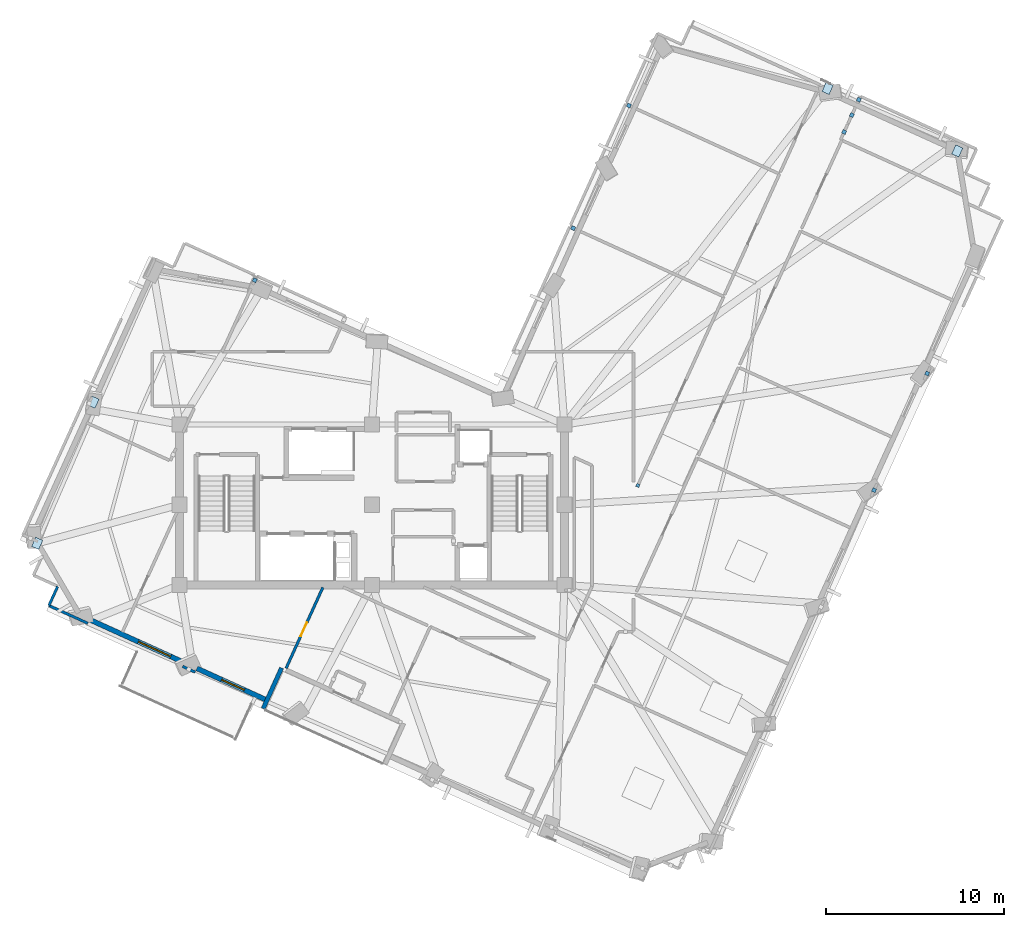
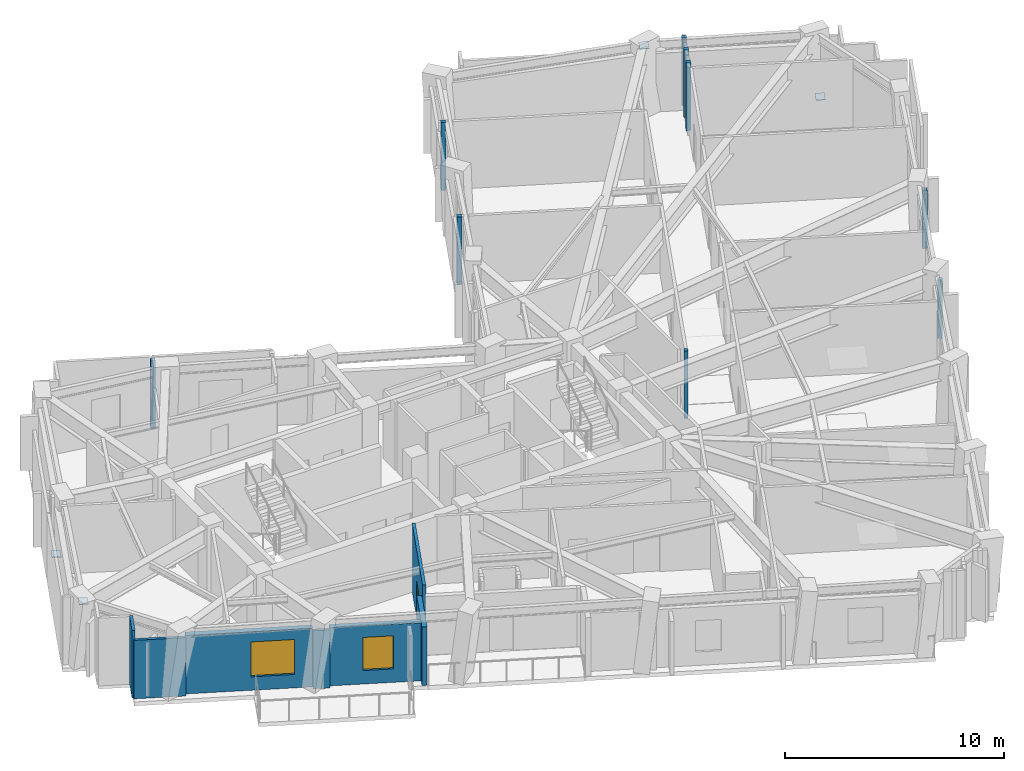
# One storey, part 4 of 13: 13 plates, 7 walls, 2 windows, 1 door, 3 openings.
"""IFC4 building model written with IfcOpenShell, lengths in metres."""

from ifc_helpers import new_model, si_unit, direction, frame, frame_2d, origin, origin_2d, place, context, subcontext, project, spatial, rectangle, extrude, material, layer, layer_set, type_object, element, fill, save


model = new_model("IFC4")

# Units and contexts
model_context = context("Model", 3, precision=1e-05, world=origin(), true_north=direction((0.0, 1.0)))
body_context = subcontext(model_context, "Body", "Model", "MODEL_VIEW")
ifc_project = project(units=[si_unit("LENGTHUNIT", "METRE"), si_unit("AREAUNIT", "SQUARE_METRE"), si_unit("VOLUMEUNIT", "CUBIC_METRE"), si_unit("PLANEANGLEUNIT", "RADIAN"), si_unit("MASSUNIT", "GRAM", prefix="KILO")], contexts=[model_context])

# Site, building, storey
site_placement = place(None, origin())
site = spatial("IfcSite", under=ifc_project, at=site_placement, CompositionType="ELEMENT")
building_placement = place(site_placement, origin())
building = spatial("IfcBuilding", under=site, at=building_placement, Name="Gaonmaruhae Medical Tower", CompositionType="ELEMENT")
storey_placement = place(building_placement, frame((0.0, 0.0, 304.60009765625)))
storey = spatial("IfcBuildingStorey", under=building, at=storey_placement, Name="L73", CompositionType="ELEMENT", Elevation=304.60009765625)

# Plates
ifc_material_1 = material(Name="Steel HSA650 (650 MPa)", Category="steel")
ifc_layer_1 = layer(ifc_material_1, 0.028076171875)
ifc_layer_set_1 = layer_set([ifc_layer_1], Name="Steel HSA650 (650 MPa)")
plate_type_1 = type_object("IfcPlateType", Name="GP-02 Tube Brace End Cap Gusset Plate", PredefinedType="USERDEFINED", material=ifc_layer_set_1)
for number, where, z_axis, x_axis, name in (
    (1, (57.651123046875, 32.15478515625, 0.23583984375), (0.0, 0.0, 1.0), (0.413898993841, 0.910322812467, 0.0), "L73 Gusset Cap Plate PLT-L73-PBR-E01A"),
    (2, (50.372802734375, 35.662841796875, 3.515625), (0.0, 0.0, 1.0), (0.398749068925, 0.917060074385, 0.0), "L73 Gusset Cap Plate PLT-L73-PBR-E01B"),
    (3, (9.16845703125, 18.0576171875, 0.23583984375), (0.0, 0.0, 1.0), (0.413898993841, 0.910322812467, 0.0), "L73 Gusset Cap Plate PLT-L73-PBR-N02A"),
    (4, (6.013671875, 10.133544921875, 3.515625), (0.0, 0.0, 1.0), (0.398749068925, 0.917060074385, 0.0), "L73 Gusset Cap Plate PLT-L73-PBR-N02B"),
):
    element("IfcPlate", number, at=place(storey_placement, frame(where, z_axis=z_axis, x_axis=x_axis)), inside=storey, type_object=plate_type_1, Name=name, ObjectType="GUSSET_PLATE", PredefinedType="USERDEFINED", context=body_context, shape_type="SweptSolid", body=[
        extrude(rectangle(XDim=0.56005859375, YDim=0.43994140625, at=origin_2d()), origin(), (0.0, 0.0, 1.0), 0.028076171875),
    ])
ifc_material_2 = material(Name="Anodised aluminium 6063-T6", Category="aluminium")
ifc_layer_2 = layer(ifc_material_2, 0.011962890625)
ifc_layer_set_2 = layer_set([ifc_layer_2], Name="Anodised aluminium 6063-T6")
plate_type_2 = type_object("IfcPlateType", Name="PP-01 Interior Partition Corner Stiffener Plate", PredefinedType="SHEET", material=ifc_layer_set_2)
plate_placement = place(storey_placement, frame((39.723876953125, 13.382080078125, 0.0), z_axis=(0.0, 0.0, 1.0), x_axis=(-0.413835440312, -0.910351705849, 0.0)))
element("IfcPlate", 5, at=plate_placement, inside=storey, type_object=plate_type_2, Name="L73 Partition End Jamb Post Plate PLT-L73-ENDP-PW071-1", PredefinedType="SHEET", context=body_context, shape_type="SweptSolid", body=[
    extrude(rectangle(XDim=0.179931640625, YDim=0.179931640625, at=origin_2d()), origin(), (0.0, 0.0, 1.0), 3.780029296875),
])
for number, where, z_axis, x_axis, name in (
    (6, (52.98193359375, 13.114501953125, 0.0), (0.0, 0.0, 1.0), (-0.41313621843, -0.910669240186, 0.0), "L73 Partition Corner Stiffener Plate PLT-L73-JGP-PW032"),
    (7, (55.9609375, 19.66845703125, 0.0), (0.0, 0.0, 1.0), (-0.414089642326, -0.910236105699, 0.0), "L73 Partition Corner Stiffener Plate PLT-L73-JGP-PW035"),
):
    element("IfcPlate", number, at=place(storey_placement, frame(where, z_axis=z_axis, x_axis=x_axis)), inside=storey, type_object=plate_type_2, Name=name, PredefinedType="SHEET", context=body_context, shape_type="SweptSolid", body=[
        extrude(rectangle(XDim=0.219970703125, YDim=0.219970703125, at=origin_2d()), origin(), (0.0, 0.0, 1.0), 3.264892578125),
    ])
for number, where, z_axis, x_axis, name in (
    (8, (36.092041015625, 27.822998046875, 0.0), (0.0, 0.0, 1.0), (0.910366150876, -0.41380366279, 0.0), "L73 Partition Corner Stiffener Plate PLT-L73-JGP-PW069"),
    (9, (39.220947265625, 34.7041015625, 0.0), (0.0, 0.0, 1.0), (0.910366150876, -0.41380366279, 0.0), "L73 Partition Corner Stiffener Plate PLT-L73-JGP-PW075"),
    (10, (18.223388671875, 24.901611328125, 0.0), (0.0, 0.0, 1.0), (0.41380366279, 0.910366150876, 0.0), "L73 Partition Corner Stiffener Plate PLT-L73-JGP-PW087"),
    (11, (51.302490234375, 33.220458984375, 0.0), (0.0, 0.0, 1.0), (0.41380366279, 0.910366150876, 0.0), "L73 Partition Corner Stiffener Plate PLT-L73-JGP-PW106"),
    (12, (51.73291015625, 34.16748046875, 0.0), (0.0, 0.0, 1.0), (0.413883105648, 0.910330036228, 0.0), "L73 Partition Corner Stiffener Plate PLT-L73-JGP-PW111"),
    (13, (52.1259765625, 35.031982421875, 0.0), (0.0, 0.0, 1.0), (0.41380366279, 0.910366150876, 0.0), "L73 Partition Corner Stiffener Plate PLT-L73-JGP-PW112"),
):
    element("IfcPlate", number, at=place(storey_placement, frame(where, z_axis=z_axis, x_axis=x_axis)), inside=storey, type_object=plate_type_2, Name=name, PredefinedType="SHEET", context=body_context, shape_type="SweptSolid", body=[
        extrude(rectangle(XDim=0.219970703125, YDim=0.219970703125, at=origin_2d()), origin(), (0.0, 0.0, 1.0), 3.780029296875),
    ])

# Wall
ifc_material_3 = material(Name="Precast concrete C45/55", Category="concrete")
ifc_layer_3 = layer(ifc_material_3, 0.239990234375)
ifc_layer_set_3 = layer_set([ifc_layer_3], Name="Precast concrete C45/55")
wall_type_1 = type_object("IfcWallType", Name="EW-240 Ribbon & Shelter Insulated Precast Wall", PredefinedType="SOLIDWALL", material=ifc_layer_set_3)
wall_1_placement = place(storey_placement, frame((19.73046875, 3.13818359375, 0.0), z_axis=(0.0, 0.0, 1.0), x_axis=(-0.413942727545, -0.910302926675, 0.0)))
element("IfcWall", 14, at=wall_1_placement, inside=storey, type_object=wall_type_1, Name="L73 Recessed Terrace Enclosure Wall TERR", PredefinedType="SOLIDWALL", context=body_context, shape_type="SweptSolid", body=[
    extrude(rectangle(XDim=2.500244140625, YDim=0.239990234375, at=frame_2d((1.25, 0.0))), origin(), (0.0, 0.0, 1.0), 3.264892578125),
])

# Wall, opening, window
ifc_layer_4 = layer(ifc_material_3, 0.280029296875)
ifc_layer_set_4 = layer_set([ifc_layer_4], Name="Precast concrete C45/55")
wall_type_2 = type_object("IfcWallType", Name="EW-280 Upper Precast Masonry-Frame Facade Wall", PredefinedType="SOLIDWALL", material=ifc_layer_set_4)
wall_2_placement = place(storey_placement, frame((14.260986328125, 3.438720703125, 0.0), z_axis=(0.0, 0.0, 1.0), x_axis=(-0.910309106428, 0.413929137359, 0.0)))
wall_2 = element("IfcWall", 15, at=wall_2_placement, inside=storey, type_object=wall_type_2, Name="L73 Precast Masonry-Frame Wall W01-W02", PredefinedType="SOLIDWALL", context=body_context, shape_type="SweptSolid", body=[
    extrude(rectangle(XDim=5.830322265625, YDim=0.280029296875, at=frame_2d((2.9150390625, 0.0))), origin(), (0.0, 0.0, 1.0), 3.264892578125),
])
opening_1_placement = place(wall_2_placement, frame((0.827392578125, 0.0, 0.75)))
opening_1 = element("IfcOpeningElement", 16, at=opening_1_placement, cuts=wall_2, Name="Opening WN-02", PredefinedType="OPENING", context=body_context, shape_type="SweptSolid", body=[
    extrude(rectangle(XDim=2.0, YDim=1.949951171875, at=frame_2d((1.0, 0.97509765625))), frame((0.0, 0.14990234375, 0.0), z_axis=(0.0, -1.0, 0.0), x_axis=(1.0, 0.0, 0.0)), (0.0, 0.0, 1.0), 0.300048828125),
])
ifc_material_4 = material(Name="Anodised aluminium and Low-E double glazing", Category="aluminium")
window_type_1 = type_object("IfcWindowType", Name="WN-02 Double-Bed Ward Punched Window 2000x1950", PartitioningType="SINGLE_PANEL", PredefinedType="WINDOW", material=ifc_material_4)
window_1_placement = place(opening_1_placement, origin())
window_1 = element("IfcWindow", 17, at=window_1_placement, inside=storey, type_object=window_type_1, Name="L73 Modular Facade Window W01", OverallHeight=1.949951171875, OverallWidth=2.0, PartitioningType="SINGLE_PANEL", PredefinedType="WINDOW", context=body_context, shape_type="SweptSolid", body=[
    extrude(rectangle(XDim=2.0, YDim=1.949951171875, at=frame_2d((1.0, 0.97509765625))), frame((0.0, 0.030029296875, 0.0), z_axis=(0.0, -1.0, 0.0), x_axis=(1.0, 0.0, 0.0)), (0.0, 0.0, 1.0), 0.06005859375),
])
fill(opening_1, window_1)

wall_3_placement = place(storey_placement, frame((18.888427734375, 1.334716796875, 0.0), z_axis=(0.0, 0.0, 1.0), x_axis=(-0.910315921542, 0.413914149296, 0.0)))
wall_3 = element("IfcWall", 18, at=wall_3_placement, inside=storey, type_object=wall_type_2, Name="L73 Precast Masonry-Frame Wall W02-W03", PredefinedType="SOLIDWALL", context=body_context, shape_type="SweptSolid", body=[
    extrude(rectangle(XDim=4.300537109375, YDim=0.280029296875, at=frame_2d((2.150390625, 0.0))), origin(), (0.0, 0.0, 1.0), 3.244873046875),
])
opening_2_placement = place(wall_3_placement, frame((1.37353515625, 0.0, 0.75)))
opening_2 = element("IfcOpeningElement", 19, at=opening_2_placement, cuts=wall_3, Name="Opening WN-03", PredefinedType="OPENING", context=body_context, shape_type="SweptSolid", body=[
    extrude(rectangle(XDim=1.39990234375, YDim=1.85009765625, at=frame_2d((0.699951171875, 0.925048828125))), frame((0.0, 0.14990234375, 0.0), z_axis=(0.0, -1.0, 0.0), x_axis=(1.0, 0.0, 0.0)), (0.0, 0.0, 1.0), 0.300048828125),
])
window_type_2 = type_object("IfcWindowType", Name="WN-03 Isolation Ward Punched Window 1400x1850", PartitioningType="SINGLE_PANEL", PredefinedType="WINDOW", material=ifc_material_4)
window_2_placement = place(opening_2_placement, origin())
window_2 = element("IfcWindow", 20, at=window_2_placement, inside=storey, type_object=window_type_2, Name="L73 Modular Facade Window W02", OverallHeight=1.85009765625, OverallWidth=1.39990234375, PartitioningType="SINGLE_PANEL", PredefinedType="WINDOW", context=body_context, shape_type="SweptSolid", body=[
    extrude(rectangle(XDim=1.39990234375, YDim=1.85009765625, at=frame_2d((0.699951171875, 0.925048828125))), frame((0.0, 0.030029296875, 0.0), z_axis=(0.0, -1.0, 0.0), x_axis=(1.0, 0.0, 0.0)), (0.0, 0.0, 1.0), 0.06005859375),
])
fill(opening_2, window_2)

# Wall, opening, door
ifc_material_5 = material(Name="Gypsum board partition", Category="gypsum")
ifc_layer_5 = layer(ifc_material_5, 0.14990234375)
ifc_layer_set_5 = layer_set([ifc_layer_5], Name="Gypsum board partition")
wall_type_3 = type_object("IfcWallType", Name="PW-150 Rated Clinical Corridor Partition", PredefinedType="PARTITIONING", material=ifc_layer_set_5)
wall_4_placement = place(storey_placement, frame((19.97900390625, 3.116943359375, 0.0), z_axis=(0.0, 0.0, 1.0), x_axis=(0.413913658196, 0.910316144841, 0.0)))
wall_4 = element("IfcWall", 21, at=wall_4_placement, inside=storey, type_object=wall_type_3, Name="L73 Interior Partition L73-WOF08-50", PredefinedType="PARTITIONING", context=body_context, shape_type="SweptSolid", body=[
    extrude(rectangle(XDim=4.984130859375, YDim=0.14990234375, at=frame_2d((2.4921875, 0.0))), origin(), (0.0, 0.0, 1.0), 3.77978515625),
])
opening_3_placement = place(wall_4_placement, frame((1.977294921875, 0.0, 0.0)))
opening_3 = element("IfcOpeningElement", 22, at=opening_3_placement, cuts=wall_4, Name="Opening AD-01", PredefinedType="OPENING", context=body_context, shape_type="SweptSolid", body=[
    extrude(rectangle(XDim=0.860107421875, YDim=2.06005859375, at=frame_2d((0.43017578125, 1.030029296875))), frame((0.0, 0.0849609375, 0.0), z_axis=(0.0, -1.0, 0.0), x_axis=(1.0, 0.0, 0.0)), (0.0, 0.0, 1.0), 0.169921875),
])
ifc_material_6 = material(Name="Powder-coated steel access door", Category="steel")
door_type = type_object("IfcDoorType", Name="AD-01 Riser & Closet Access Fire Door 860x2060", OperationType="NOTDEFINED", PredefinedType="DOOR", material=ifc_material_6)
door_placement = place(opening_3_placement, origin())
door = element("IfcDoor", 23, at=door_placement, inside=storey, type_object=door_type, Name="L73 Ward Physician Reporting Office Sliding Door", OperationType="SLIDING_TO_LEFT", OverallHeight=2.06005859375, OverallWidth=0.860107421875, PredefinedType="DOOR", context=body_context, shape_type="SweptSolid", body=[
    extrude(rectangle(XDim=0.860107421875, YDim=2.06005859375, at=frame_2d((0.43017578125, 1.030029296875))), frame((0.0, 0.02490234375, 0.0), z_axis=(0.0, -1.0, 0.0), x_axis=(1.0, 0.0, 0.0)), (0.0, 0.0, 1.0), 0.050048828125),
])
fill(opening_3, door)

# Walls
wall_5_placement = place(storey_placement, frame((14.87890625, 2.905029296875, 0.0), z_axis=(0.0, 0.0, 1.0), x_axis=(-0.910398506959, 0.413732472169, 0.0)))
element("IfcWall", 24, at=wall_5_placement, inside=storey, type_object=wall_type_3, Name="L73 Interior Partition L73-WOF09-52", PredefinedType="PARTITIONING", context=body_context, shape_type="SweptSolid", body=[
    extrude(rectangle(XDim=0.782958984375, YDim=0.14990234375, at=frame_2d((0.3916015625, 0.0))), origin(), (0.0, 0.0, 1.0), 3.244873046875),
])
wall_6_placement = place(storey_placement, frame((8.85791015625, 5.64306640625, 0.0), z_axis=(0.0, 0.0, 1.0), x_axis=(-0.910300432563, 0.413948212311, 0.0)))
element("IfcWall", 25, at=wall_6_placement, inside=storey, type_object=wall_type_3, Name="L73 Interior Partition L73-WOF10-54", PredefinedType="PARTITIONING", context=body_context, shape_type="SweptSolid", body=[
    extrude(rectangle(XDim=2.40576171875, YDim=0.14990234375, at=frame_2d((1.202880859375, 0.0))), origin(), (0.0, 0.0, 1.0), 3.264892578125),
])
wall_7_placement = place(storey_placement, frame((6.66796875, 6.638916015625, 0.0), z_axis=(0.0, 0.0, 1.0), x_axis=(0.413709385682, 0.910408998307, 0.0)))
element("IfcWall", 26, at=wall_7_placement, inside=storey, type_object=wall_type_3, Name="L73 Interior Partition L73-WOF10-55", PredefinedType="PARTITIONING", context=body_context, shape_type="SweptSolid", body=[
    extrude(rectangle(XDim=1.1796875, YDim=0.14990234375, at=frame_2d((0.58984375, 0.0))), origin(), (0.0, 0.0, 1.0), 3.77978515625),
])

save(model, "model.ifc")
